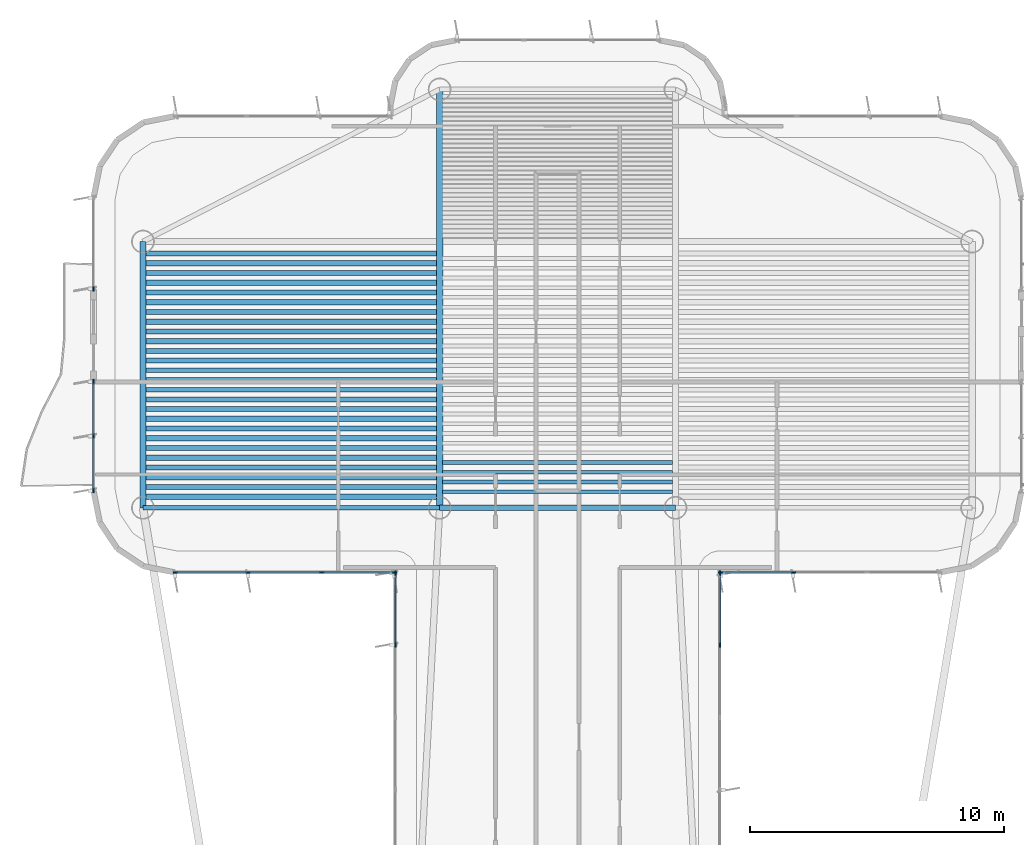
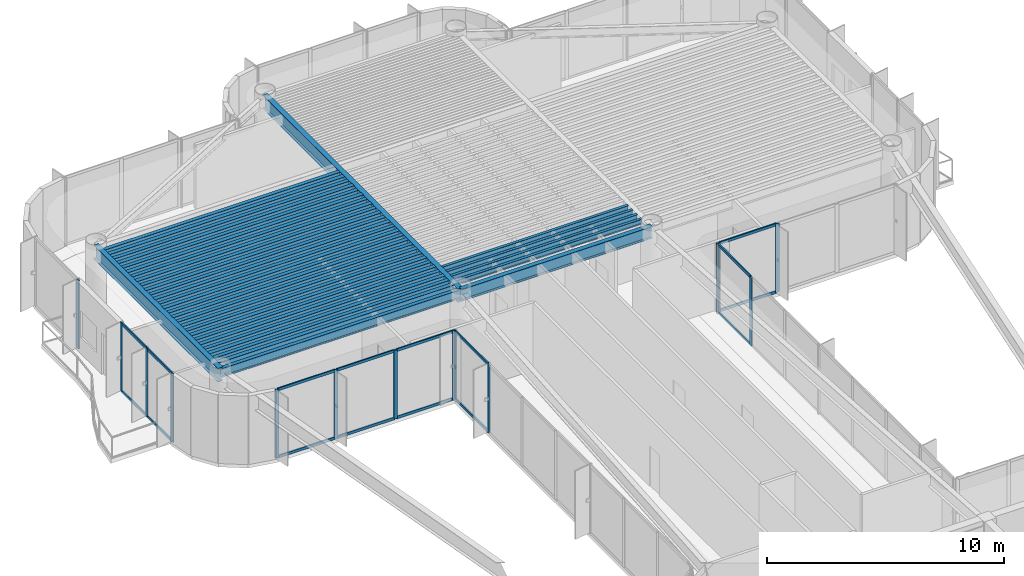
# One storey, part 5 of 15: 34 beams, 30 members, 6 elements without a shape of their own.
"""IFC4 building model written with IfcOpenShell, lengths in metres."""

from ifc_helpers import new_model, si_unit, direction, frame, origin, origin_2d, place, context, subcontext, project, spatial, rectangle, i_section, extrude, source, transform, mapped, material, layer, layer_set, material_profile, profile_set, type_object, element, aggregate, save


model = new_model("IFC4")

# Units and contexts
model_context = context("Model", 3, precision=1e-05, world=origin(), true_north=direction((0.0, 1.0)))
body_context = subcontext(model_context, "Body", "Model", "MODEL_VIEW")
ifc_project = project(units=[si_unit("LENGTHUNIT", "METRE"), si_unit("AREAUNIT", "SQUARE_METRE"), si_unit("VOLUMEUNIT", "CUBIC_METRE"), si_unit("PLANEANGLEUNIT", "RADIAN"), si_unit("MASSUNIT", "GRAM", prefix="KILO")], contexts=[model_context])

# Site, building, storey
site_placement = place(None, origin())
site = spatial("IfcSite", under=ifc_project, at=site_placement, CompositionType="ELEMENT")
building_placement = place(site_placement, origin())
building = spatial("IfcBuilding", under=site, at=building_placement, Name="Brelvock Crest Care Tower", CompositionType="ELEMENT")
storey_placement = place(building_placement, frame((0.0, 0.0, 241.919921875)))
storey = spatial("IfcBuildingStorey", under=building, at=storey_placement, Name="L61", CompositionType="ELEMENT", Elevation=241.919921875)

# Beams
ifc_material_1 = material(Name="Steel Grade 350", Category="steel")
ifc_material_profile_1 = material_profile(ifc_material_1, i_section(OverallWidth=0.25, OverallDepth=0.699951171875, WebThickness=0.011962890625, FlangeThickness=0.02001953125, at=origin_2d()), Name="700WB150")
ifc_profile_set_1 = profile_set([ifc_material_profile_1], Name="Steel Grade 350")
beam_type_1 = type_object("IfcBeamType", Name="BM-G4", PredefinedType="BEAM", material=ifc_profile_set_1)
shared_shape_1 = source(origin(), body_context, "Body", "SweptSolid", [
    extrude(i_section(OverallWidth=0.25, OverallDepth=0.699951171875, WebThickness=0.011962890625, FlangeThickness=0.02001953125, at=origin_2d()), origin(), (0.0, 0.0, 1.0), 10.5),
])
beam_1_placement = place(storey_placement, frame((19.64990234375, 43.949951171875, 3.18017578125), z_axis=(0.0, 1.0, 0.0), x_axis=(-1.0, 0.0, 0.0)))
element("IfcBeam", 1, at=beam_1_placement, inside=storey, type_object=beam_type_1, Name="BM-TWR-L61-01", PredefinedType="BEAM", context=body_context, shape_type="MappedRepresentation", body=[
    mapped(shared_shape_1, transform((0.0, 0.0, 0.0), x_axis=(1.0, 0.0, 0.0), y_axis=(0.0, 1.0, 0.0), z_axis=(0.0, 0.0, 1.0), scale=1.0)),
])
ifc_material_profile_2 = material_profile(ifc_material_1, i_section(OverallWidth=0.22900390625, OverallDepth=0.612060546875, WebThickness=0.011962890625, FlangeThickness=0.01953125, FilletRadius=0.013916015625, at=origin_2d()), Name="610UB125")
ifc_profile_set_2 = profile_set([ifc_material_profile_2], Name="Steel Grade 350")
beam_type_2 = type_object("IfcBeamType", Name="BM-G1", PredefinedType="BEAM", material=ifc_profile_set_2)
shared_shape_2 = source(origin(), body_context, "Body", "SweptSolid", [
    extrude(i_section(OverallWidth=0.22900390625, OverallDepth=0.612060546875, WebThickness=0.011962890625, FlangeThickness=0.01953125, FilletRadius=0.013916015625, at=origin_2d()), origin(), (0.0, 0.0, 1.0), 9.2998046875),
])
beam_2_placement = place(storey_placement, frame((31.35009765625, 43.949951171875, 3.22412109375), z_axis=(1.0, 0.0, 0.0), x_axis=(0.0, 1.0, 0.0)))
element("IfcBeam", 2, at=beam_2_placement, inside=storey, type_object=beam_type_2, Name="BM-TWR-L61-05", PredefinedType="BEAM", context=body_context, shape_type="MappedRepresentation", body=[
    mapped(shared_shape_2, transform((0.0, 0.0, 0.0), x_axis=(1.0, 0.0, 0.0), y_axis=(0.0, 1.0, 0.0), z_axis=(0.0, 0.0, 1.0), scale=1.0)),
])
ifc_material_profile_3 = material_profile(ifc_material_1, i_section(OverallWidth=0.14599609375, OverallDepth=0.256103515625, WebThickness=0.00634765625, FlangeThickness=0.010986328125, FilletRadius=0.0087890625, at=origin_2d()), Name="250UB37.3")
ifc_profile_set_3 = profile_set([ifc_material_profile_3], Name="Steel Grade 350")
beam_type_3 = type_object("IfcBeamType", Name="BM-J3", PredefinedType="JOIST", material=ifc_profile_set_3)
shared_shape_3 = source(origin(), body_context, "Body", "SweptSolid", [
    extrude(i_section(OverallWidth=0.14599609375, OverallDepth=0.256103515625, WebThickness=0.00634765625, FlangeThickness=0.010986328125, FilletRadius=0.0087890625, at=origin_2d()), origin(), (0.0, 0.0, 1.0), 9.06982421875),
])
for number, where, z_axis, x_axis, name in (
    (3, (31.465087890625, 44.58251953125, 3.402099609375), (1.0, 0.0, 0.0), (0.0, 1.0, 0.0), "BM-JH-L61-1"),
    (4, (31.465087890625, 44.9658203125, 3.402099609375), (1.0, 0.0, 0.0), (0.0, 1.0, 0.0), "BM-JH-L61-2"),
    (5, (31.465087890625, 45.34912109375, 3.402099609375), (1.0, 0.0, 0.0), (0.0, 1.0, 0.0), "BM-JH-L61-3"),
    (6, (31.465087890625, 45.732421875, 3.402099609375), (1.0, 0.0, 0.0), (0.0, 1.0, 0.0), "BM-JH-L61-4"),
):
    element("IfcBeam", number, at=place(storey_placement, frame(where, z_axis=z_axis, x_axis=x_axis)), inside=storey, type_object=beam_type_3, Name=name, PredefinedType="JOIST", context=body_context, shape_type="MappedRepresentation", body=[
        mapped(shared_shape_3, transform((0.0, 0.0, 0.0), x_axis=(1.0, 0.0, 0.0), y_axis=(0.0, 1.0, 0.0), z_axis=(0.0, 0.0, 1.0), scale=1.0)),
    ])
ifc_material_profile_4 = material_profile(ifc_material_1, i_section(OverallWidth=0.19091796875, OverallDepth=0.4599609375, WebThickness=0.010009765625, FlangeThickness=0.01611328125, FilletRadius=0.011474609375, at=origin_2d()), Name="460UB82.1")
ifc_profile_set_4 = profile_set([ifc_material_profile_4], Name="Steel Grade 350")
beam_type_4 = type_object("IfcBeamType", Name="BM-G3", PredefinedType="BEAM", material=ifc_profile_set_4)
shared_shape_4 = source(origin(), body_context, "Body", "SweptSolid", [
    extrude(i_section(OverallWidth=0.19091796875, OverallDepth=0.4599609375, WebThickness=0.010009765625, FlangeThickness=0.01611328125, FilletRadius=0.011474609375, at=origin_2d()), origin(), (0.0, 0.0, 1.0), 11.47021484375),
])
for number, where, z_axis, x_axis, name in (
    (7, (19.764892578125, 44.7744140625, 3.300048828125), (1.0, 0.0, 0.0), (0.0, 1.0, 0.0), "BM-JW-L61-2"),
    (8, (19.764892578125, 45.540771484375, 3.300048828125), (1.0, 0.0, 0.0), (0.0, 1.0, 0.0), "BM-JW-L61-4"),
    (9, (19.764892578125, 46.307373046875, 3.300048828125), (1.0, 0.0, 0.0), (0.0, 1.0, 0.0), "BM-JW-L61-6"),
    (10, (19.764892578125, 47.07373046875, 3.300048828125), (1.0, 0.0, 0.0), (0.0, 1.0, 0.0), "BM-JW-L61-8"),
    (11, (19.764892578125, 47.84033203125, 3.300048828125), (1.0, 0.0, 0.0), (0.0, 1.0, 0.0), "BM-JW-L61-10"),
    (12, (19.764892578125, 48.606689453125, 3.300048828125), (1.0, 0.0, 0.0), (0.0, 1.0, 0.0), "BM-JW-L61-12"),
    (13, (19.764892578125, 49.373291015625, 3.300048828125), (1.0, 0.0, 0.0), (0.0, 1.0, 0.0), "BM-JW-L61-14"),
    (14, (19.764892578125, 50.139892578125, 3.300048828125), (1.0, 0.0, 0.0), (0.0, 1.0, 0.0), "BM-JW-L61-16"),
    (15, (19.764892578125, 50.90625, 3.300048828125), (1.0, 0.0, 0.0), (0.0, 1.0, 0.0), "BM-JW-L61-18"),
    (16, (19.764892578125, 51.6728515625, 3.300048828125), (1.0, 0.0, 0.0), (0.0, 1.0, 0.0), "BM-JW-L61-20"),
    (17, (19.764892578125, 52.439208984375, 3.300048828125), (1.0, 0.0, 0.0), (0.0, 1.0, 0.0), "BM-JW-L61-22"),
    (18, (19.764892578125, 53.205810546875, 3.300048828125), (1.0, 0.0, 0.0), (0.0, 1.0, 0.0), "BM-JW-L61-24"),
    (19, (19.764892578125, 53.972412109375, 3.300048828125), (1.0, 0.0, 0.0), (0.0, 1.0, 0.0), "BM-JW-L61-26"),
):
    element("IfcBeam", number, at=place(storey_placement, frame(where, z_axis=z_axis, x_axis=x_axis)), inside=storey, type_object=beam_type_4, Name=name, PredefinedType="BEAM", context=body_context, shape_type="MappedRepresentation", body=[
        mapped(shared_shape_4, transform((0.0, 0.0, 0.0), x_axis=(1.0, 0.0, 0.0), y_axis=(0.0, 1.0, 0.0), z_axis=(0.0, 0.0, 1.0), scale=1.0)),
    ])
ifc_material_profile_5 = material_profile(ifc_material_1, i_section(OverallWidth=0.208984375, OverallDepth=0.532958984375, WebThickness=0.01025390625, FlangeThickness=0.015625, FilletRadius=0.013916015625, at=origin_2d()), Name="530UB92.4")
ifc_profile_set_5 = profile_set([ifc_material_profile_5], Name="Steel Grade 350")
beam_type_5 = type_object("IfcBeamType", Name="BM-G2", PredefinedType="BEAM", material=ifc_profile_set_5)
shared_shape_5 = source(origin(), body_context, "Body", "SweptSolid", [
    extrude(i_section(OverallWidth=0.208984375, OverallDepth=0.532958984375, WebThickness=0.01025390625, FlangeThickness=0.015625, FilletRadius=0.013916015625, at=origin_2d()), origin(), (0.0, 0.0, 1.0), 11.47021484375),
])
for number, where, z_axis, x_axis, name in (
    (20, (19.764892578125, 44.39111328125, 3.263671875), (1.0, 0.0, 0.0), (0.0, 1.0, 0.0), "BM-JW-L61-1"),
    (21, (19.764892578125, 45.157470703125, 3.263671875), (1.0, 0.0, 0.0), (0.0, 1.0, 0.0), "BM-JW-L61-3"),
    (22, (19.764892578125, 45.924072265625, 3.263671875), (1.0, 0.0, 0.0), (0.0, 1.0, 0.0), "BM-JW-L61-5"),
    (23, (19.764892578125, 46.6904296875, 3.263671875), (1.0, 0.0, 0.0), (0.0, 1.0, 0.0), "BM-JW-L61-7"),
    (24, (19.764892578125, 47.45703125, 3.263671875), (1.0, 0.0, 0.0), (0.0, 1.0, 0.0), "BM-JW-L61-9"),
    (25, (19.764892578125, 48.223388671875, 3.263671875), (1.0, 0.0, 0.0), (0.0, 1.0, 0.0), "BM-JW-L61-11"),
    (26, (19.764892578125, 48.989990234375, 3.263671875), (1.0, 0.0, 0.0), (0.0, 1.0, 0.0), "BM-JW-L61-13"),
    (27, (19.764892578125, 49.756591796875, 3.263671875), (1.0, 0.0, 0.0), (0.0, 1.0, 0.0), "BM-JW-L61-15"),
    (28, (19.764892578125, 50.52294921875, 3.263671875), (1.0, 0.0, 0.0), (0.0, 1.0, 0.0), "BM-JW-L61-17"),
    (29, (19.764892578125, 51.28955078125, 3.263671875), (1.0, 0.0, 0.0), (0.0, 1.0, 0.0), "BM-JW-L61-19"),
    (30, (19.764892578125, 52.055908203125, 3.263671875), (1.0, 0.0, 0.0), (0.0, 1.0, 0.0), "BM-JW-L61-21"),
    (31, (19.764892578125, 52.822509765625, 3.263671875), (1.0, 0.0, 0.0), (0.0, 1.0, 0.0), "BM-JW-L61-23"),
    (32, (19.764892578125, 53.589111328125, 3.263671875), (1.0, 0.0, 0.0), (0.0, 1.0, 0.0), "BM-JW-L61-25"),
):
    element("IfcBeam", number, at=place(storey_placement, frame(where, z_axis=z_axis, x_axis=x_axis)), inside=storey, type_object=beam_type_5, Name=name, PredefinedType="BEAM", context=body_context, shape_type="MappedRepresentation", body=[
        mapped(shared_shape_5, transform((0.0, 0.0, 0.0), x_axis=(1.0, 0.0, 0.0), y_axis=(0.0, 1.0, 0.0), z_axis=(0.0, 0.0, 1.0), scale=1.0)),
    ])
ifc_material_profile_6 = material_profile(ifc_material_1, i_section(OverallWidth=0.19091796875, OverallDepth=0.4599609375, WebThickness=0.010009765625, FlangeThickness=0.01611328125, FilletRadius=0.011474609375, at=origin_2d()), Name="460UB82.1")
ifc_profile_set_6 = profile_set([ifc_material_profile_6], Name="Steel Grade 350")
beam_type_6 = type_object("IfcBeamType", Name="BM-SP2", PredefinedType="SPANDREL", material=ifc_profile_set_6)
shared_shape_6 = source(origin(), body_context, "Body", "SweptSolid", [
    extrude(i_section(OverallWidth=0.19091796875, OverallDepth=0.4599609375, WebThickness=0.010009765625, FlangeThickness=0.01611328125, FilletRadius=0.011474609375, at=origin_2d()), origin(), (0.0, 0.0, 1.0), 11.7001953125),
])
beam_3_placement = place(storey_placement, frame((19.64990234375, 43.949951171875, 3.300048828125), z_axis=(1.0, 0.0, 0.0), x_axis=(0.0, 1.0, 0.0)))
element("IfcBeam", 33, at=beam_3_placement, inside=storey, type_object=beam_type_6, Name="BM-TWR-L61-03", PredefinedType="SPANDREL", context=body_context, shape_type="MappedRepresentation", body=[
    mapped(shared_shape_6, transform((0.0, 0.0, 0.0), x_axis=(1.0, 0.0, 0.0), y_axis=(0.0, 1.0, 0.0), z_axis=(0.0, 0.0, 1.0), scale=1.0)),
])
shared_shape_7 = source(origin(), body_context, "Body", "SweptSolid", [
    extrude(i_section(OverallWidth=0.25, OverallDepth=0.699951171875, WebThickness=0.011962890625, FlangeThickness=0.02001953125, at=origin_2d()), origin(), (0.0, 0.0, 1.0), 16.5),
])
beam_4_placement = place(storey_placement, frame((31.35009765625, 43.949951171875, 3.18017578125), z_axis=(0.0, 1.0, 0.0), x_axis=(-1.0, 0.0, 0.0)))
element("IfcBeam", 34, at=beam_4_placement, inside=storey, type_object=beam_type_1, Name="BM-TWR-L61-09", PredefinedType="BEAM", context=body_context, shape_type="MappedRepresentation", body=[
    mapped(shared_shape_7, transform((0.0, 0.0, 0.0), x_axis=(1.0, 0.0, 0.0), y_axis=(0.0, 1.0, 0.0), z_axis=(0.0, 0.0, 1.0), scale=1.0)),
])

# Curtain wall, members
ifc_material_2 = material(Name="Dark Glass Double Glazed Low-E", Category="glass")
ifc_layer = layer(ifc_material_2, 0.239990234375, Name="CWS-5")
ifc_layer_set = layer_set([ifc_layer], Name="Dark Glass Double Glazed Low-E")
curtain_wall_type = type_object("IfcCurtainWallType", Name="CWS-5", PredefinedType="NOTDEFINED", material=ifc_layer_set)
curtain_wall_1_placement = place(storey_placement, origin())
curtain_wall_1 = element("IfcCurtainWall", 35, at=curtain_wall_1_placement, inside=storey, type_object=curtain_wall_type, Name="L61 Curtain Wall E11", PredefinedType="NOTDEFINED")
ifc_material_3 = material(Name="Aluminium 6063-T6", Category="aluminium")
ifc_material_profile_7 = material_profile(ifc_material_3, rectangle(XDim=0.06005859375, YDim=0.179931640625, at=origin_2d()), Name="ALU60x180")
ifc_profile_set_7 = profile_set([ifc_material_profile_7], Name="Aluminium 6063-T6")
member_type_1 = type_object("IfcMemberType", Name="CWM-2", PredefinedType="MULLION", material=ifc_profile_set_7)
shared_shape_8 = source(origin(), body_context, "Body", "SweptSolid", [
    extrude(rectangle(XDim=0.06005859375, YDim=0.179931640625, at=origin_2d()), origin(), (0.0, 0.0, 1.0), 3.530029296875),
])
member_1_placement = place(storey_placement, frame((29.60009765625, 38.54296875, 0.0), z_axis=(0.0, 0.0, 1.0), x_axis=(-1.0, 0.0, 0.0)))
member_1 = element("IfcMember", 36, at=member_1_placement, type_object=member_type_1, Name="CW-5 mullion 7", PredefinedType="MULLION", context=body_context, shape_type="MappedRepresentation", body=[
    mapped(shared_shape_8, transform((0.0, 0.0, 0.0), x_axis=(1.0, 0.0, 0.0), y_axis=(0.0, 1.0, 0.0), z_axis=(0.0, 0.0, 1.0), scale=1.0)),
])
member_2_placement = place(storey_placement, frame((29.60009765625, 41.3701171875, 0.0), z_axis=(0.0, 0.0, 1.0), x_axis=(-1.0, 0.0, 0.0)))
member_2 = element("IfcMember", 37, at=member_2_placement, type_object=member_type_1, Name="CW-5 mullion 8", PredefinedType="MULLION", context=body_context, shape_type="MappedRepresentation", body=[
    mapped(shared_shape_8, transform((0.0, 0.0, 0.0), x_axis=(1.0, 0.0, 0.0), y_axis=(0.0, 1.0, 0.0), z_axis=(0.0, 0.0, 1.0), scale=1.0)),
])

curtain_wall_2_placement = place(storey_placement, origin())
curtain_wall_2 = element("IfcCurtainWall", 38, at=curtain_wall_2_placement, inside=storey, type_object=curtain_wall_type, Name="L61 Curtain Wall E12", PredefinedType="NOTDEFINED")
member_3_placement = place(storey_placement, frame((29.570068359375, 41.39990234375, 0.0), z_axis=(0.0, 0.0, 1.0), x_axis=(0.0, -1.0, 0.0)))
member_3 = element("IfcMember", 39, at=member_3_placement, type_object=member_type_1, Name="CW-5 mullion 1", PredefinedType="MULLION", context=body_context, shape_type="MappedRepresentation", body=[
    mapped(shared_shape_8, transform((0.0, 0.0, 0.0), x_axis=(1.0, 0.0, 0.0), y_axis=(0.0, 1.0, 0.0), z_axis=(0.0, 0.0, 1.0), scale=1.0)),
])
member_4_placement = place(storey_placement, frame((26.699951171875, 41.39990234375, 0.0), z_axis=(0.0, 0.0, 1.0), x_axis=(0.0, -1.0, 0.0)))
member_4 = element("IfcMember", 40, at=member_4_placement, type_object=member_type_1, Name="CW-5 mullion 2", PredefinedType="MULLION", context=body_context, shape_type="MappedRepresentation", body=[
    mapped(shared_shape_8, transform((0.0, 0.0, 0.0), x_axis=(1.0, 0.0, 0.0), y_axis=(0.0, 1.0, 0.0), z_axis=(0.0, 0.0, 1.0), scale=1.0)),
])
member_5_placement = place(storey_placement, frame((23.800048828125, 41.39990234375, 0.0), z_axis=(0.0, 0.0, 1.0), x_axis=(0.0, -1.0, 0.0)))
member_5 = element("IfcMember", 41, at=member_5_placement, type_object=member_type_1, Name="CW-5 mullion 3", PredefinedType="MULLION", context=body_context, shape_type="MappedRepresentation", body=[
    mapped(shared_shape_8, transform((0.0, 0.0, 0.0), x_axis=(1.0, 0.0, 0.0), y_axis=(0.0, 1.0, 0.0), z_axis=(0.0, 0.0, 1.0), scale=1.0)),
])
member_6_placement = place(storey_placement, frame((20.929931640625, 41.39990234375, 0.0), z_axis=(0.0, 0.0, 1.0), x_axis=(0.0, -1.0, 0.0)))
member_6 = element("IfcMember", 42, at=member_6_placement, type_object=member_type_1, Name="CW-5 mullion 4", PredefinedType="MULLION", context=body_context, shape_type="MappedRepresentation", body=[
    mapped(shared_shape_8, transform((0.0, 0.0, 0.0), x_axis=(1.0, 0.0, 0.0), y_axis=(0.0, 1.0, 0.0), z_axis=(0.0, 0.0, 1.0), scale=1.0)),
])

curtain_wall_3_placement = place(storey_placement, origin())
curtain_wall_3 = element("IfcCurtainWall", 43, at=curtain_wall_3_placement, inside=storey, type_object=curtain_wall_type, Name="L61 Curtain Wall E17A", PredefinedType="NOTDEFINED")
member_7_placement = place(storey_placement, frame((17.699951171875, 44.6298828125, 0.0), z_axis=(0.0, 0.0, 1.0), x_axis=(-1.0, 0.0, 0.0)))
member_7 = element("IfcMember", 44, at=member_7_placement, type_object=member_type_1, Name="CW-5 mullion 1", PredefinedType="MULLION", context=body_context, shape_type="MappedRepresentation", body=[
    mapped(shared_shape_8, transform((0.0, 0.0, 0.0), x_axis=(1.0, 0.0, 0.0), y_axis=(0.0, 1.0, 0.0), z_axis=(0.0, 0.0, 1.0), scale=1.0)),
])
member_8_placement = place(storey_placement, frame((17.699951171875, 46.77490234375, 0.0), z_axis=(0.0, 0.0, 1.0), x_axis=(-1.0, 0.0, 0.0)))
member_8 = element("IfcMember", 45, at=member_8_placement, type_object=member_type_1, Name="CW-5 mullion 2", PredefinedType="MULLION", context=body_context, shape_type="MappedRepresentation", body=[
    mapped(shared_shape_8, transform((0.0, 0.0, 0.0), x_axis=(1.0, 0.0, 0.0), y_axis=(0.0, 1.0, 0.0), z_axis=(0.0, 0.0, 1.0), scale=1.0)),
])
member_9_placement = place(storey_placement, frame((17.699951171875, 48.919921875, 0.0), z_axis=(0.0, 0.0, 1.0), x_axis=(-1.0, 0.0, 0.0)))
member_9 = element("IfcMember", 46, at=member_9_placement, type_object=member_type_1, Name="CW-5 mullion 3", PredefinedType="MULLION", context=body_context, shape_type="MappedRepresentation", body=[
    mapped(shared_shape_8, transform((0.0, 0.0, 0.0), x_axis=(1.0, 0.0, 0.0), y_axis=(0.0, 1.0, 0.0), z_axis=(0.0, 0.0, 1.0), scale=1.0)),
])

# Curtain wall, member
curtain_wall_4_placement = place(storey_placement, origin())
curtain_wall_4 = element("IfcCurtainWall", 47, at=curtain_wall_4_placement, inside=storey, type_object=curtain_wall_type, Name="L61 Curtain Wall E17B", PredefinedType="NOTDEFINED")
member_10_placement = place(storey_placement, frame((17.699951171875, 52.580078125, 0.0), z_axis=(0.0, 0.0, 1.0), x_axis=(-1.0, 0.0, 0.0)))
member_10 = element("IfcMember", 48, at=member_10_placement, type_object=member_type_1, Name="CW-5 mullion 1", PredefinedType="MULLION", context=body_context, shape_type="MappedRepresentation", body=[
    mapped(shared_shape_8, transform((0.0, 0.0, 0.0), x_axis=(1.0, 0.0, 0.0), y_axis=(0.0, 1.0, 0.0), z_axis=(0.0, 0.0, 1.0), scale=1.0)),
])
aggregate(curtain_wall_4, [member_10])

# Curtain wall, members
curtain_wall_5_placement = place(storey_placement, origin())
curtain_wall_5 = element("IfcCurtainWall", 49, at=curtain_wall_5_placement, inside=storey, type_object=curtain_wall_type, Name="L61 Curtain Wall E44", PredefinedType="NOTDEFINED")
member_11_placement = place(storey_placement, frame((45.300048828125, 41.39990234375, 0.0), z_axis=(0.0, 0.0, 1.0), x_axis=(0.0, -1.0, 0.0)))
member_11 = element("IfcMember", 50, at=member_11_placement, type_object=member_type_1, Name="CW-5 mullion 3", PredefinedType="MULLION", context=body_context, shape_type="MappedRepresentation", body=[
    mapped(shared_shape_8, transform((0.0, 0.0, 0.0), x_axis=(1.0, 0.0, 0.0), y_axis=(0.0, 1.0, 0.0), z_axis=(0.0, 0.0, 1.0), scale=1.0)),
])
member_12_placement = place(storey_placement, frame((42.429931640625, 41.39990234375, 0.0), z_axis=(0.0, 0.0, 1.0), x_axis=(0.0, -1.0, 0.0)))
member_12 = element("IfcMember", 51, at=member_12_placement, type_object=member_type_1, Name="CW-5 mullion 4", PredefinedType="MULLION", context=body_context, shape_type="MappedRepresentation", body=[
    mapped(shared_shape_8, transform((0.0, 0.0, 0.0), x_axis=(1.0, 0.0, 0.0), y_axis=(0.0, 1.0, 0.0), z_axis=(0.0, 0.0, 1.0), scale=1.0)),
])

curtain_wall_6_placement = place(storey_placement, origin())
curtain_wall_6 = element("IfcCurtainWall", 52, at=curtain_wall_6_placement, inside=storey, type_object=curtain_wall_type, Name="L61 Curtain Wall E45", PredefinedType="NOTDEFINED")
member_13_placement = place(storey_placement, frame((42.39990234375, 41.3701171875, 0.0), z_axis=(0.0, 0.0, 1.0), x_axis=(1.0, 0.0, 0.0)))
member_13 = element("IfcMember", 53, at=member_13_placement, type_object=member_type_1, Name="CW-5 mullion 1", PredefinedType="MULLION", context=body_context, shape_type="MappedRepresentation", body=[
    mapped(shared_shape_8, transform((0.0, 0.0, 0.0), x_axis=(1.0, 0.0, 0.0), y_axis=(0.0, 1.0, 0.0), z_axis=(0.0, 0.0, 1.0), scale=1.0)),
])
member_14_placement = place(storey_placement, frame((42.39990234375, 38.54296875, 0.0), z_axis=(0.0, 0.0, 1.0), x_axis=(1.0, 0.0, 0.0)))
member_14 = element("IfcMember", 54, at=member_14_placement, type_object=member_type_1, Name="CW-5 mullion 2", PredefinedType="MULLION", context=body_context, shape_type="MappedRepresentation", body=[
    mapped(shared_shape_8, transform((0.0, 0.0, 0.0), x_axis=(1.0, 0.0, 0.0), y_axis=(0.0, 1.0, 0.0), z_axis=(0.0, 0.0, 1.0), scale=1.0)),
])

# Member
ifc_material_profile_8 = material_profile(ifc_material_3, rectangle(XDim=0.06005859375, YDim=0.139892578125, at=origin_2d()), Name="ALU60x140")
ifc_profile_set_8 = profile_set([ifc_material_profile_8], Name="Aluminium 6063-T6")
member_type_2 = type_object("IfcMemberType", Name="CWT-2", PredefinedType="USERDEFINED", material=ifc_profile_set_8)
shared_shape_9 = source(origin(), body_context, "Body", "SweptSolid", [
    extrude(rectangle(XDim=0.06005859375, YDim=0.139892578125, at=origin_2d()), origin(), (0.0, 0.0, 1.0), 2.767333984375),
])
member_15_placement = place(storey_placement, frame((29.60009765625, 38.57275390625, 0.030029296875), z_axis=(0.0, 1.0, 0.0), x_axis=(-1.0, 0.0, 0.0)))
member_15 = element("IfcMember", 55, at=member_15_placement, type_object=member_type_2, Name="CW-5 transom 7.1", ObjectType="TRANSOM", PredefinedType="USERDEFINED", context=body_context, shape_type="MappedRepresentation", body=[
    mapped(shared_shape_9, transform((0.0, 0.0, 0.0), x_axis=(1.0, 0.0, 0.0), y_axis=(0.0, 1.0, 0.0), z_axis=(0.0, 0.0, 1.0), scale=1.0)),
])

member_16_placement = place(storey_placement, frame((29.60009765625, 38.57275390625, 3.5), z_axis=(0.0, 1.0, 0.0), x_axis=(-1.0, 0.0, 0.0)))
member_16 = element("IfcMember", 56, at=member_16_placement, type_object=member_type_2, Name="CW-5 transom 7.2", ObjectType="TRANSOM", PredefinedType="USERDEFINED", context=body_context, shape_type="MappedRepresentation", body=[
    mapped(shared_shape_9, transform((0.0, 0.0, 0.0), x_axis=(1.0, 0.0, 0.0), y_axis=(0.0, 1.0, 0.0), z_axis=(0.0, 0.0, 1.0), scale=1.0)),
])

aggregate(curtain_wall_1, [member_1, member_2, member_15, member_16])

member_17_placement = place(storey_placement, frame((42.39990234375, 41.340087890625, 0.030029296875), z_axis=(0.0, -1.0, 0.0), x_axis=(1.0, 0.0, 0.0)))
member_17 = element("IfcMember", 57, at=member_17_placement, type_object=member_type_2, Name="CW-5 transom 1.1", ObjectType="TRANSOM", PredefinedType="USERDEFINED", context=body_context, shape_type="MappedRepresentation", body=[
    mapped(shared_shape_9, transform((0.0, 0.0, 0.0), x_axis=(1.0, 0.0, 0.0), y_axis=(0.0, 1.0, 0.0), z_axis=(0.0, 0.0, 1.0), scale=1.0)),
])

member_18_placement = place(storey_placement, frame((42.39990234375, 41.340087890625, 3.5), z_axis=(0.0, -1.0, 0.0), x_axis=(1.0, 0.0, 0.0)))
member_18 = element("IfcMember", 58, at=member_18_placement, type_object=member_type_2, Name="CW-5 transom 1.2", ObjectType="TRANSOM", PredefinedType="USERDEFINED", context=body_context, shape_type="MappedRepresentation", body=[
    mapped(shared_shape_9, transform((0.0, 0.0, 0.0), x_axis=(1.0, 0.0, 0.0), y_axis=(0.0, 1.0, 0.0), z_axis=(0.0, 0.0, 1.0), scale=1.0)),
])

aggregate(curtain_wall_6, [member_13, member_14, member_17, member_18])

shared_shape_10 = source(origin(), body_context, "Body", "SweptSolid", [
    extrude(rectangle(XDim=0.06005859375, YDim=0.139892578125, at=origin_2d()), origin(), (0.0, 0.0, 1.0), 2.81005859375),
])
member_19_placement = place(storey_placement, frame((29.5400390625, 41.39990234375, 0.030029296875), z_axis=(-1.0, 0.0, 0.0), x_axis=(0.0, -1.0, 0.0)))
member_19 = element("IfcMember", 59, at=member_19_placement, type_object=member_type_2, Name="CW-5 transom 1.1", ObjectType="TRANSOM", PredefinedType="USERDEFINED", context=body_context, shape_type="MappedRepresentation", body=[
    mapped(shared_shape_10, transform((0.0, 0.0, 0.0), x_axis=(1.0, 0.0, 0.0), y_axis=(0.0, 1.0, 0.0), z_axis=(0.0, 0.0, 1.0), scale=1.0)),
])

member_20_placement = place(storey_placement, frame((29.5400390625, 41.39990234375, 3.5), z_axis=(-1.0, 0.0, 0.0), x_axis=(0.0, -1.0, 0.0)))
member_20 = element("IfcMember", 60, at=member_20_placement, type_object=member_type_2, Name="CW-5 transom 1.2", ObjectType="TRANSOM", PredefinedType="USERDEFINED", context=body_context, shape_type="MappedRepresentation", body=[
    mapped(shared_shape_10, transform((0.0, 0.0, 0.0), x_axis=(1.0, 0.0, 0.0), y_axis=(0.0, 1.0, 0.0), z_axis=(0.0, 0.0, 1.0), scale=1.0)),
])

member_21_placement = place(storey_placement, frame((23.77001953125, 41.39990234375, 0.030029296875), z_axis=(-1.0, 0.0, 0.0), x_axis=(0.0, -1.0, 0.0)))
member_21 = element("IfcMember", 61, at=member_21_placement, type_object=member_type_2, Name="CW-5 transom 3.1", ObjectType="TRANSOM", PredefinedType="USERDEFINED", context=body_context, shape_type="MappedRepresentation", body=[
    mapped(shared_shape_10, transform((0.0, 0.0, 0.0), x_axis=(1.0, 0.0, 0.0), y_axis=(0.0, 1.0, 0.0), z_axis=(0.0, 0.0, 1.0), scale=1.0)),
])

member_22_placement = place(storey_placement, frame((23.77001953125, 41.39990234375, 3.5), z_axis=(-1.0, 0.0, 0.0), x_axis=(0.0, -1.0, 0.0)))
member_22 = element("IfcMember", 62, at=member_22_placement, type_object=member_type_2, Name="CW-5 transom 3.2", ObjectType="TRANSOM", PredefinedType="USERDEFINED", context=body_context, shape_type="MappedRepresentation", body=[
    mapped(shared_shape_10, transform((0.0, 0.0, 0.0), x_axis=(1.0, 0.0, 0.0), y_axis=(0.0, 1.0, 0.0), z_axis=(0.0, 0.0, 1.0), scale=1.0)),
])

member_23_placement = place(storey_placement, frame((45.27001953125, 41.39990234375, 0.030029296875), z_axis=(-1.0, 0.0, 0.0), x_axis=(0.0, -1.0, 0.0)))
member_23 = element("IfcMember", 63, at=member_23_placement, type_object=member_type_2, Name="CW-5 transom 3.1", ObjectType="TRANSOM", PredefinedType="USERDEFINED", context=body_context, shape_type="MappedRepresentation", body=[
    mapped(shared_shape_10, transform((0.0, 0.0, 0.0), x_axis=(1.0, 0.0, 0.0), y_axis=(0.0, 1.0, 0.0), z_axis=(0.0, 0.0, 1.0), scale=1.0)),
])

member_24_placement = place(storey_placement, frame((45.27001953125, 41.39990234375, 3.5), z_axis=(-1.0, 0.0, 0.0), x_axis=(0.0, -1.0, 0.0)))
member_24 = element("IfcMember", 64, at=member_24_placement, type_object=member_type_2, Name="CW-5 transom 3.2", ObjectType="TRANSOM", PredefinedType="USERDEFINED", context=body_context, shape_type="MappedRepresentation", body=[
    mapped(shared_shape_10, transform((0.0, 0.0, 0.0), x_axis=(1.0, 0.0, 0.0), y_axis=(0.0, 1.0, 0.0), z_axis=(0.0, 0.0, 1.0), scale=1.0)),
])

aggregate(curtain_wall_5, [member_11, member_12, member_23, member_24])

shared_shape_11 = source(origin(), body_context, "Body", "SweptSolid", [
    extrude(rectangle(XDim=0.06005859375, YDim=0.139892578125, at=origin_2d()), origin(), (0.0, 0.0, 1.0), 2.83984375),
])
member_25_placement = place(storey_placement, frame((26.669921875, 41.39990234375, 0.030029296875), z_axis=(-1.0, 0.0, 0.0), x_axis=(0.0, -1.0, 0.0)))
member_25 = element("IfcMember", 65, at=member_25_placement, type_object=member_type_2, Name="CW-5 transom 2.1", ObjectType="TRANSOM", PredefinedType="USERDEFINED", context=body_context, shape_type="MappedRepresentation", body=[
    mapped(shared_shape_11, transform((0.0, 0.0, 0.0), x_axis=(1.0, 0.0, 0.0), y_axis=(0.0, 1.0, 0.0), z_axis=(0.0, 0.0, 1.0), scale=1.0)),
])

member_26_placement = place(storey_placement, frame((26.669921875, 41.39990234375, 3.5), z_axis=(-1.0, 0.0, 0.0), x_axis=(0.0, -1.0, 0.0)))
member_26 = element("IfcMember", 66, at=member_26_placement, type_object=member_type_2, Name="CW-5 transom 2.2", ObjectType="TRANSOM", PredefinedType="USERDEFINED", context=body_context, shape_type="MappedRepresentation", body=[
    mapped(shared_shape_11, transform((0.0, 0.0, 0.0), x_axis=(1.0, 0.0, 0.0), y_axis=(0.0, 1.0, 0.0), z_axis=(0.0, 0.0, 1.0), scale=1.0)),
])

aggregate(curtain_wall_2, [member_3, member_4, member_5, member_6, member_19, member_20, member_25, member_26, member_21, member_22])

shared_shape_12 = source(origin(), body_context, "Body", "SweptSolid", [
    extrude(rectangle(XDim=0.06005859375, YDim=0.139892578125, at=origin_2d()), origin(), (0.0, 0.0, 1.0), 2.085205078125),
])
member_27_placement = place(storey_placement, frame((17.699951171875, 44.659912109375, 0.030029296875), z_axis=(0.0, 1.0, 0.0), x_axis=(-1.0, 0.0, 0.0)))
member_27 = element("IfcMember", 67, at=member_27_placement, type_object=member_type_2, Name="CW-5 transom 1.1", ObjectType="TRANSOM", PredefinedType="USERDEFINED", context=body_context, shape_type="MappedRepresentation", body=[
    mapped(shared_shape_12, transform((0.0, 0.0, 0.0), x_axis=(1.0, 0.0, 0.0), y_axis=(0.0, 1.0, 0.0), z_axis=(0.0, 0.0, 1.0), scale=1.0)),
])

member_28_placement = place(storey_placement, frame((17.699951171875, 44.659912109375, 3.5), z_axis=(0.0, 1.0, 0.0), x_axis=(-1.0, 0.0, 0.0)))
member_28 = element("IfcMember", 68, at=member_28_placement, type_object=member_type_2, Name="CW-5 transom 1.2", ObjectType="TRANSOM", PredefinedType="USERDEFINED", context=body_context, shape_type="MappedRepresentation", body=[
    mapped(shared_shape_12, transform((0.0, 0.0, 0.0), x_axis=(1.0, 0.0, 0.0), y_axis=(0.0, 1.0, 0.0), z_axis=(0.0, 0.0, 1.0), scale=1.0)),
])

shared_shape_13 = source(origin(), body_context, "Body", "SweptSolid", [
    extrude(rectangle(XDim=0.06005859375, YDim=0.139892578125, at=origin_2d()), origin(), (0.0, 0.0, 1.0), 2.0849609375),
])
member_29_placement = place(storey_placement, frame((17.699951171875, 46.804931640625, 0.030029296875), z_axis=(0.0, 1.0, 0.0), x_axis=(-1.0, 0.0, 0.0)))
member_29 = element("IfcMember", 69, at=member_29_placement, type_object=member_type_2, Name="CW-5 transom 2.1", ObjectType="TRANSOM", PredefinedType="USERDEFINED", context=body_context, shape_type="MappedRepresentation", body=[
    mapped(shared_shape_13, transform((0.0, 0.0, 0.0), x_axis=(1.0, 0.0, 0.0), y_axis=(0.0, 1.0, 0.0), z_axis=(0.0, 0.0, 1.0), scale=1.0)),
])

member_30_placement = place(storey_placement, frame((17.699951171875, 46.804931640625, 3.5), z_axis=(0.0, 1.0, 0.0), x_axis=(-1.0, 0.0, 0.0)))
member_30 = element("IfcMember", 70, at=member_30_placement, type_object=member_type_2, Name="CW-5 transom 2.2", ObjectType="TRANSOM", PredefinedType="USERDEFINED", context=body_context, shape_type="MappedRepresentation", body=[
    mapped(shared_shape_13, transform((0.0, 0.0, 0.0), x_axis=(1.0, 0.0, 0.0), y_axis=(0.0, 1.0, 0.0), z_axis=(0.0, 0.0, 1.0), scale=1.0)),
])

aggregate(curtain_wall_3, [member_7, member_8, member_9, member_27, member_28, member_29, member_30])

save(model, "model.ifc")
